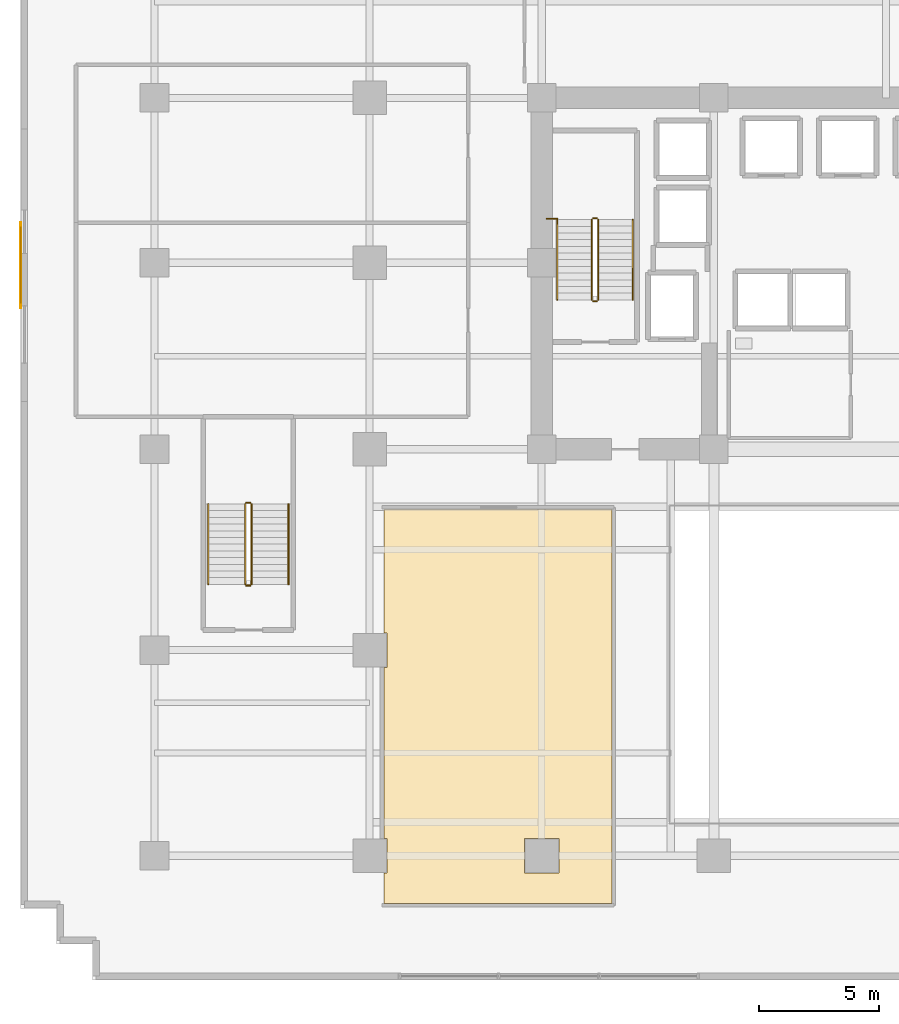
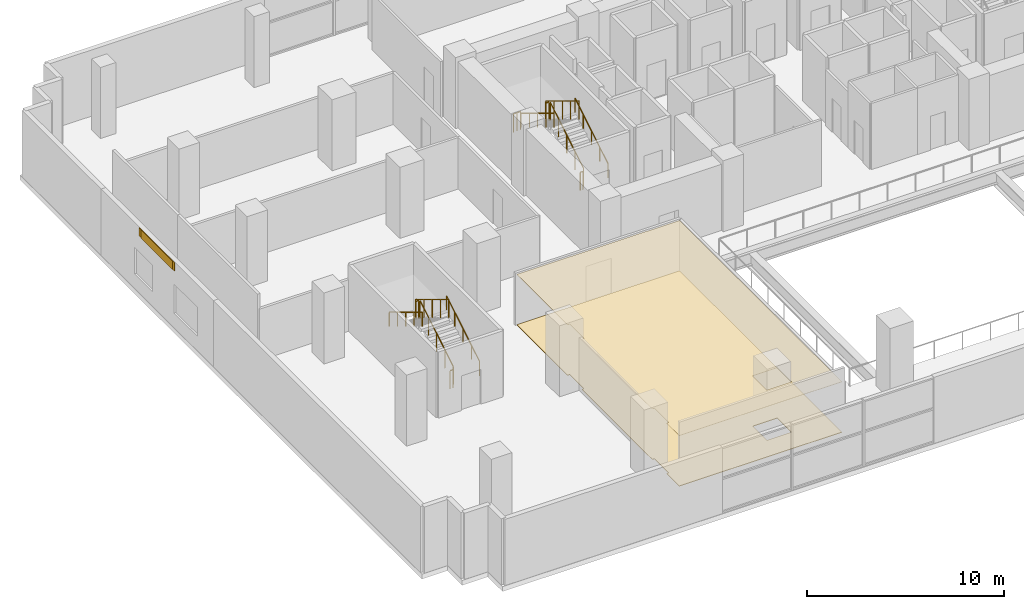
# One storey, part 18 of 21: 13 railings, 3 coverings, 1 shading device.
"""IFC4 building model written with IfcOpenShell, lengths in metres."""

from ifc_helpers import new_model, si_unit, direction, frame, origin, origin_2d, place, context, subcontext, project, spatial, polyline, rectangle, outline, extrude, source, transform, mapped, material, layer, layer_set, type_object, element, save


model = new_model("IFC4")

# Units and contexts
model_context = context("Model", 3, precision=1e-05, world=origin(), true_north=direction((0.0, 1.0)))
body_context = subcontext(model_context, "Body", "Model", "MODEL_VIEW")
ifc_project = project(units=[si_unit("LENGTHUNIT", "METRE"), si_unit("AREAUNIT", "SQUARE_METRE"), si_unit("VOLUMEUNIT", "CUBIC_METRE"), si_unit("PLANEANGLEUNIT", "RADIAN"), si_unit("MASSUNIT", "GRAM", prefix="KILO")], contexts=[model_context])

# Site, building, storey
site_placement = place(None, origin())
site = spatial("IfcSite", under=ifc_project, at=site_placement, CompositionType="ELEMENT")
building_placement = place(site_placement, origin())
building = spatial("IfcBuilding", under=site, at=building_placement, Name="Zarnakvel Exchange Tower", CompositionType="ELEMENT")
storey_placement = place(building_placement, frame((0.0, 0.0, 18.199951171875)))
storey = spatial("IfcBuildingStorey", under=building, at=storey_placement, Name="L04", CompositionType="ELEMENT", Elevation=18.199951171875)

# Coverings
ifc_material_1 = material(Name="Perforated Bronze Acoustic Metal Ceiling", Category="aluminium")
ifc_layer_1 = layer(ifc_material_1, 0.02001953125)
ifc_layer_set_1 = layer_set([ifc_layer_1], Name="Perforated Bronze Acoustic Metal Ceiling")
covering_type_1 = type_object("IfcCoveringType", Name="CLG-01", PredefinedType="CEILING", material=ifc_layer_set_1)
covering_1_placement = place(storey_placement, frame((0.0, 0.0, 3.130126953125)))
element("IfcCovering", 1, at=covering_1_placement, inside=storey, type_object=covering_type_1, Name="L04 Suspended Acoustic Ceiling (Exchange Dining Concourse)", PredefinedType="CEILING", context=body_context, shape_type="SweptSolid", body=[
    extrude(outline(polyline([(-11.4599609375, -3.7099609375), (-11.4599609375, -20.199951171875), (-21.0, -20.199951171875), (-21.0, -18.919921875), (-20.8798828125, -18.919921875), (-20.8798828125, -17.47998046875), (-21.0, -17.47998046875), (-21.0, -10.320068359375), (-20.8798828125, -10.320068359375), (-20.8798828125, -8.8798828125), (-21.0, -8.8798828125), (-21.0, -3.7099609375), (-11.4599609375, -3.7099609375)]), holes=[polyline([(-13.679931640625, -18.919921875), (-13.679931640625, -17.47998046875), (-15.1201171875, -17.47998046875), (-15.1201171875, -18.919921875), (-13.679931640625, -18.919921875)])]), origin(), (0.0, 0.0, 1.0), 0.02001953125),
])
ifc_material_2 = material(Name="Honed Limestone & Turquoise Inlay Stone", Category="masonry")
ifc_layer_2 = layer(ifc_material_2, 0.030029296875)
ifc_layer_set_2 = layer_set([ifc_layer_2], Name="Honed Limestone & Turquoise Inlay Stone")
covering_type_2 = type_object("IfcCoveringType", Name="FLR-01", PredefinedType="FLOORING", material=ifc_layer_set_2)
covering_2_placement = place(storey_placement, origin())
element("IfcCovering", 2, at=covering_2_placement, inside=storey, type_object=covering_type_2, Name="L04 Floor Finish (Exchange Dining Concourse)", PredefinedType="FLOORING", context=body_context, shape_type="SweptSolid", body=[
    extrude(outline(polyline([(-11.4599609375, -3.7099609375), (-11.4599609375, -20.199951171875), (-21.0, -20.199951171875), (-21.0, -18.919921875), (-20.8798828125, -18.919921875), (-20.8798828125, -17.47998046875), (-21.0, -17.47998046875), (-21.0, -10.320068359375), (-20.8798828125, -10.320068359375), (-20.8798828125, -8.8798828125), (-21.0, -8.8798828125), (-21.0, -3.7099609375), (-11.4599609375, -3.7099609375)]), holes=[polyline([(-13.679931640625, -18.919921875), (-13.679931640625, -17.47998046875), (-15.1201171875, -17.47998046875), (-15.1201171875, -18.919921875), (-13.679931640625, -18.919921875)])]), origin(), (0.0, 0.0, 1.0), 0.030029296875),
])

# Railings
ifc_material_3 = material(Name="Brushed Stainless Steel", Category="steel")
railing_type_1 = type_object("IfcRailingType", Name="HR-01", PredefinedType="HANDRAIL", material=ifc_material_3)
railing_1_placement = place(storey_placement, frame((-10.590087890625, 5.050048828125, 0.169189453125)))
element("IfcRailing", 3, at=railing_1_placement, inside=storey, type_object=railing_type_1, Name="L04 ST-01 stair handrail 1", PredefinedType="HANDRAIL", context=body_context, shape_type="SweptSolid", body=[
    extrude(rectangle(XDim=0.048095703125, YDim=0.048095703125, at=origin_2d()), frame((0.0, 0.0, 0.8759765625), z_axis=(0.0, 0.855820338506, 0.51727318527), x_axis=(-1.0, 0.0, 0.0)), (0.0, 0.0, 1.0), 3.92578125),
    extrude(rectangle(XDim=0.0419921875, YDim=0.0419921875, at=origin_2d()), origin(), (0.0, 0.0, 1.0), 0.851806640625),
    extrude(rectangle(XDim=0.0419921875, YDim=0.0419921875, at=origin_2d()), frame((0.0, 0.83984375, 0.5078125)), (0.0, 0.0, 1.0), 0.851806640625),
    extrude(rectangle(XDim=0.0419921875, YDim=0.0419921875, at=origin_2d()), frame((0.0, 1.679931640625, 1.015380859375)), (0.0, 0.0, 1.0), 0.851806640625),
    extrude(rectangle(XDim=0.0419921875, YDim=0.0419921875, at=origin_2d()), frame((0.0, 2.52001953125, 1.52294921875)), (0.0, 0.0, 1.0), 0.851806640625),
    extrude(rectangle(XDim=0.0419921875, YDim=0.0419921875, at=origin_2d()), frame((0.0, 3.35986328125, 2.03076171875)), (0.0, 0.0, 1.0), 0.851806640625),
])
railing_2_placement = place(storey_placement, frame((-13.75, 8.409912109375, 2.369384765625)))
element("IfcRailing", 4, at=railing_2_placement, inside=storey, type_object=railing_type_1, Name="L04 ST-01 stair handrail 2", PredefinedType="HANDRAIL", context=body_context, shape_type="SweptSolid", body=[
    extrude(rectangle(XDim=0.048095703125, YDim=0.048095703125, at=origin_2d()), frame((0.0, 0.0, 0.8759765625), z_axis=(0.0, -0.855820338506, 0.51727318527), x_axis=(1.0, 0.0, 0.0)), (0.0, 0.0, 1.0), 3.92578125),
    extrude(rectangle(XDim=0.0419921875, YDim=0.0419921875, at=origin_2d()), origin(), (0.0, 0.0, 1.0), 0.851806640625),
    extrude(rectangle(XDim=0.0419921875, YDim=0.0419921875, at=origin_2d()), frame((0.0, -0.83984375, 0.5078125)), (0.0, 0.0, 1.0), 0.851806640625),
    extrude(rectangle(XDim=0.0419921875, YDim=0.0419921875, at=origin_2d()), frame((0.0, -1.679931640625, 1.015380859375)), (0.0, 0.0, 1.0), 0.851806640625),
    extrude(rectangle(XDim=0.0419921875, YDim=0.0419921875, at=origin_2d()), frame((0.0, -2.52001953125, 1.52294921875)), (0.0, 0.0, 1.0), 0.851806640625),
    extrude(rectangle(XDim=0.0419921875, YDim=0.0419921875, at=origin_2d()), frame((0.0, -3.35986328125, 2.03076171875)), (0.0, 0.0, 1.0), 0.851806640625),
])
railing_3_placement = place(storey_placement, frame((-24.989990234375, -6.85009765625, 0.169189453125)))
element("IfcRailing", 5, at=railing_3_placement, inside=storey, type_object=railing_type_1, Name="L04 ST-03 stair handrail 1", PredefinedType="HANDRAIL", context=body_context, shape_type="SweptSolid", body=[
    extrude(rectangle(XDim=0.048095703125, YDim=0.048095703125, at=origin_2d()), frame((0.0, 0.0, 0.8759765625), z_axis=(0.0, 0.855836976705, 0.517245656632), x_axis=(-1.0, 0.0, 0.0)), (0.0, 0.0, 1.0), 3.926025390625),
    extrude(rectangle(XDim=0.0419921875, YDim=0.0419921875, at=origin_2d()), origin(), (0.0, 0.0, 1.0), 0.851806640625),
    extrude(rectangle(XDim=0.0419921875, YDim=0.0419921875, at=origin_2d()), frame((0.0, 0.840087890625, 0.5078125)), (0.0, 0.0, 1.0), 0.851806640625),
    extrude(rectangle(XDim=0.0419921875, YDim=0.0419921875, at=origin_2d()), frame((0.0, 1.68017578125, 1.015380859375)), (0.0, 0.0, 1.0), 0.851806640625),
    extrude(rectangle(XDim=0.0419921875, YDim=0.0419921875, at=origin_2d()), frame((0.0, 2.52001953125, 1.52294921875)), (0.0, 0.0, 1.0), 0.851806640625),
    extrude(rectangle(XDim=0.0419921875, YDim=0.0419921875, at=origin_2d()), frame((0.0, 3.360107421875, 2.03076171875)), (0.0, 0.0, 1.0), 0.851806640625),
])
railing_4_placement = place(storey_placement, frame((-28.35009765625, -3.489990234375, 2.369384765625)))
element("IfcRailing", 6, at=railing_4_placement, inside=storey, type_object=railing_type_1, Name="L04 ST-03 stair handrail 2", PredefinedType="HANDRAIL", context=body_context, shape_type="SweptSolid", body=[
    extrude(rectangle(XDim=0.048095703125, YDim=0.048095703125, at=origin_2d()), frame((0.0, 0.0, 0.8759765625), z_axis=(0.0, -0.855836976705, 0.517245656632), x_axis=(1.0, 0.0, 0.0)), (0.0, 0.0, 1.0), 3.926025390625),
    extrude(rectangle(XDim=0.0419921875, YDim=0.0419921875, at=origin_2d()), origin(), (0.0, 0.0, 1.0), 0.851806640625),
    extrude(rectangle(XDim=0.0419921875, YDim=0.0419921875, at=origin_2d()), frame((0.0, -0.840087890625, 0.5078125)), (0.0, 0.0, 1.0), 0.851806640625),
    extrude(rectangle(XDim=0.0419921875, YDim=0.0419921875, at=origin_2d()), frame((0.0, -1.68017578125, 1.015380859375)), (0.0, 0.0, 1.0), 0.851806640625),
    extrude(rectangle(XDim=0.0419921875, YDim=0.0419921875, at=origin_2d()), frame((0.0, -2.52001953125, 1.52294921875)), (0.0, 0.0, 1.0), 0.851806640625),
    extrude(rectangle(XDim=0.0419921875, YDim=0.0419921875, at=origin_2d()), frame((0.0, -3.360107421875, 2.03076171875)), (0.0, 0.0, 1.0), 0.851806640625),
])
ifc_material_4 = material(Name="Architectural Bronze Anodised Aluminium", Category="aluminium")
railing_type_2 = type_object("IfcRailingType", Name="SG-01", PredefinedType="GUARDRAIL", material=ifc_material_4)
railing_5_placement = place(storey_placement, frame((-12.0400390625, 5.050048828125, 0.169189453125)))
element("IfcRailing", 7, at=railing_5_placement, inside=storey, type_object=railing_type_2, Name="L04 ST-01 stair guard 1", PredefinedType="GUARDRAIL", context=body_context, shape_type="SweptSolid", body=[
    extrude(rectangle(XDim=0.048095703125, YDim=0.048095703125, at=origin_2d()), frame((0.0, 0.0, 1.1259765625), z_axis=(0.0, 0.855820338506, 0.51727318527), x_axis=(-1.0, 0.0, 0.0)), (0.0, 0.0, 1.0), 3.92578125),
    extrude(rectangle(XDim=0.0419921875, YDim=0.0419921875, at=origin_2d()), origin(), (0.0, 0.0, 1.0), 1.101806640625),
    extrude(rectangle(XDim=0.0419921875, YDim=0.0419921875, at=origin_2d()), frame((0.0, 0.83984375, 0.5078125)), (0.0, 0.0, 1.0), 1.101806640625),
    extrude(rectangle(XDim=0.0419921875, YDim=0.0419921875, at=origin_2d()), frame((0.0, 1.679931640625, 1.015380859375)), (0.0, 0.0, 1.0), 1.101806640625),
    extrude(rectangle(XDim=0.0419921875, YDim=0.0419921875, at=origin_2d()), frame((0.0, 2.52001953125, 1.52294921875)), (0.0, 0.0, 1.0), 1.101806640625),
    extrude(rectangle(XDim=0.0419921875, YDim=0.0419921875, at=origin_2d()), frame((0.0, 3.35986328125, 2.03076171875)), (0.0, 0.0, 1.0), 1.101806640625),
])
railing_6_placement = place(storey_placement, frame((-12.090087890625, 8.4599609375, 2.199951171875)))
element("IfcRailing", 8, at=railing_6_placement, inside=storey, type_object=railing_type_2, Name="L04 ST-01 stair guard 2", PredefinedType="GUARDRAIL", context=body_context, shape_type="SweptSolid", body=[
    extrude(rectangle(XDim=0.048095703125, YDim=0.048095703125, at=origin_2d()), frame((0.0, 0.0, 1.1259765625), z_axis=(-1.0, 0.0, 0.0), x_axis=(0.0, -1.0, 0.0)), (0.0, 0.0, 1.0), 0.159912109375),
    extrude(rectangle(XDim=0.0419921875, YDim=0.0419921875, at=origin_2d()), origin(), (0.0, 0.0, 1.0), 1.101806640625),
    extrude(rectangle(XDim=0.0419921875, YDim=0.0419921875, at=origin_2d()), frame((-0.159912109375, 0.0, 0.0)), (0.0, 0.0, 1.0), 1.101806640625),
])
railing_7_placement = place(storey_placement, frame((-12.300048828125, 8.409912109375, 2.369384765625)))
element("IfcRailing", 9, at=railing_7_placement, inside=storey, type_object=railing_type_2, Name="L04 ST-01 stair guard 3", PredefinedType="GUARDRAIL", context=body_context, shape_type="SweptSolid", body=[
    extrude(rectangle(XDim=0.048095703125, YDim=0.048095703125, at=origin_2d()), frame((0.0, 0.0, 1.1259765625), z_axis=(0.0, -0.855820338506, 0.51727318527), x_axis=(1.0, 0.0, 0.0)), (0.0, 0.0, 1.0), 3.92578125),
    extrude(rectangle(XDim=0.0419921875, YDim=0.0419921875, at=origin_2d()), origin(), (0.0, 0.0, 1.0), 1.101806640625),
    extrude(rectangle(XDim=0.0419921875, YDim=0.0419921875, at=origin_2d()), frame((0.0, -0.83984375, 0.5078125)), (0.0, 0.0, 1.0), 1.101806640625),
    extrude(rectangle(XDim=0.0419921875, YDim=0.0419921875, at=origin_2d()), frame((0.0, -1.679931640625, 1.015380859375)), (0.0, 0.0, 1.0), 1.101806640625),
    extrude(rectangle(XDim=0.0419921875, YDim=0.0419921875, at=origin_2d()), frame((0.0, -2.52001953125, 1.52294921875)), (0.0, 0.0, 1.0), 1.101806640625),
    extrude(rectangle(XDim=0.0419921875, YDim=0.0419921875, at=origin_2d()), frame((0.0, -3.35986328125, 2.03076171875)), (0.0, 0.0, 1.0), 1.101806640625),
])
railing_8_placement = place(storey_placement, frame((-12.090087890625, 5.0, 0.0)))
element("IfcRailing", 10, at=railing_8_placement, inside=storey, type_object=railing_type_2, Name="L04 ST-01 stair guard 4", PredefinedType="GUARDRAIL", context=body_context, shape_type="SweptSolid", body=[
    extrude(rectangle(XDim=0.048095703125, YDim=0.048095703125, at=origin_2d()), frame((0.0, 0.0, 1.1259765625), z_axis=(-1.0, 0.0, 0.0), x_axis=(0.0, -1.0, 0.0)), (0.0, 0.0, 1.0), 0.159912109375),
    extrude(rectangle(XDim=0.0419921875, YDim=0.0419921875, at=origin_2d()), origin(), (0.0, 0.0, 1.0), 1.101806640625),
    extrude(rectangle(XDim=0.0419921875, YDim=0.0419921875, at=origin_2d()), frame((-0.159912109375, 0.0, 0.0)), (0.0, 0.0, 1.0), 1.101806640625),
])
railing_9_placement = place(storey_placement, frame((-14.179931640625, 8.449951171875, 2.199951171875)))
element("IfcRailing", 11, at=railing_9_placement, inside=storey, type_object=railing_type_2, Name="L04 ST-01 Landing Slot Guardrail", PredefinedType="GUARDRAIL", context=body_context, shape_type="SweptSolid", body=[
    extrude(rectangle(XDim=0.048095703125, YDim=0.048095703125, at=origin_2d()), frame((0.0, 0.0, 1.1259765625), z_axis=(1.0, 0.0, 0.0), x_axis=(0.0, 1.0, 0.0)), (0.0, 0.0, 1.0), 0.429931640625),
    extrude(rectangle(XDim=0.0419921875, YDim=0.0419921875, at=origin_2d()), origin(), (0.0, 0.0, 1.0), 1.101806640625),
    extrude(rectangle(XDim=0.0419921875, YDim=0.0419921875, at=origin_2d()), frame((0.21484375, 0.0, 0.0)), (0.0, 0.0, 1.0), 1.101806640625),
    extrude(rectangle(XDim=0.0419921875, YDim=0.0419921875, at=origin_2d()), frame((0.429931640625, 0.0, 0.0)), (0.0, 0.0, 1.0), 1.101806640625),
])
railing_10_placement = place(storey_placement, frame((-26.5400390625, -6.85009765625, 0.169189453125)))
element("IfcRailing", 12, at=railing_10_placement, inside=storey, type_object=railing_type_2, Name="L04 ST-03 stair guard 1", PredefinedType="GUARDRAIL", context=body_context, shape_type="SweptSolid", body=[
    extrude(rectangle(XDim=0.048095703125, YDim=0.048095703125, at=origin_2d()), frame((0.0, 0.0, 1.1259765625), z_axis=(0.0, 0.855836976705, 0.517245656632), x_axis=(-1.0, 0.0, 0.0)), (0.0, 0.0, 1.0), 3.926025390625),
    extrude(rectangle(XDim=0.0419921875, YDim=0.0419921875, at=origin_2d()), origin(), (0.0, 0.0, 1.0), 1.101806640625),
    extrude(rectangle(XDim=0.0419921875, YDim=0.0419921875, at=origin_2d()), frame((0.0, 0.840087890625, 0.5078125)), (0.0, 0.0, 1.0), 1.101806640625),
    extrude(rectangle(XDim=0.0419921875, YDim=0.0419921875, at=origin_2d()), frame((0.0, 1.68017578125, 1.015380859375)), (0.0, 0.0, 1.0), 1.101806640625),
    extrude(rectangle(XDim=0.0419921875, YDim=0.0419921875, at=origin_2d()), frame((0.0, 2.52001953125, 1.52294921875)), (0.0, 0.0, 1.0), 1.101806640625),
    extrude(rectangle(XDim=0.0419921875, YDim=0.0419921875, at=origin_2d()), frame((0.0, 3.360107421875, 2.03076171875)), (0.0, 0.0, 1.0), 1.101806640625),
])
railing_11_placement = place(storey_placement, frame((-26.590087890625, -3.43994140625, 2.199951171875)))
element("IfcRailing", 13, at=railing_11_placement, inside=storey, type_object=railing_type_2, Name="L04 ST-03 stair guard 2", PredefinedType="GUARDRAIL", context=body_context, shape_type="SweptSolid", body=[
    extrude(rectangle(XDim=0.048095703125, YDim=0.048095703125, at=origin_2d()), frame((0.0, 0.0, 1.1259765625), z_axis=(-1.0, 0.0, 0.0), x_axis=(0.0, -1.0, 0.0)), (0.0, 0.0, 1.0), 0.159912109375),
    extrude(rectangle(XDim=0.0419921875, YDim=0.0419921875, at=origin_2d()), origin(), (0.0, 0.0, 1.0), 1.101806640625),
    extrude(rectangle(XDim=0.0419921875, YDim=0.0419921875, at=origin_2d()), frame((-0.159912109375, 0.0, 0.0)), (0.0, 0.0, 1.0), 1.101806640625),
])
railing_12_placement = place(storey_placement, frame((-26.800048828125, -3.489990234375, 2.369384765625)))
element("IfcRailing", 14, at=railing_12_placement, inside=storey, type_object=railing_type_2, Name="L04 ST-03 stair guard 3", PredefinedType="GUARDRAIL", context=body_context, shape_type="SweptSolid", body=[
    extrude(rectangle(XDim=0.048095703125, YDim=0.048095703125, at=origin_2d()), frame((0.0, 0.0, 1.1259765625), z_axis=(0.0, -0.855836976705, 0.517245656632), x_axis=(1.0, 0.0, 0.0)), (0.0, 0.0, 1.0), 3.926025390625),
    extrude(rectangle(XDim=0.0419921875, YDim=0.0419921875, at=origin_2d()), origin(), (0.0, 0.0, 1.0), 1.101806640625),
    extrude(rectangle(XDim=0.0419921875, YDim=0.0419921875, at=origin_2d()), frame((0.0, -0.840087890625, 0.5078125)), (0.0, 0.0, 1.0), 1.101806640625),
    extrude(rectangle(XDim=0.0419921875, YDim=0.0419921875, at=origin_2d()), frame((0.0, -1.68017578125, 1.015380859375)), (0.0, 0.0, 1.0), 1.101806640625),
    extrude(rectangle(XDim=0.0419921875, YDim=0.0419921875, at=origin_2d()), frame((0.0, -2.52001953125, 1.52294921875)), (0.0, 0.0, 1.0), 1.101806640625),
    extrude(rectangle(XDim=0.0419921875, YDim=0.0419921875, at=origin_2d()), frame((0.0, -3.360107421875, 2.03076171875)), (0.0, 0.0, 1.0), 1.101806640625),
])
railing_13_placement = place(storey_placement, frame((-26.590087890625, -6.89990234375, 0.0)))
element("IfcRailing", 15, at=railing_13_placement, inside=storey, type_object=railing_type_2, Name="L04 ST-03 stair guard 4", PredefinedType="GUARDRAIL", context=body_context, shape_type="SweptSolid", body=[
    extrude(rectangle(XDim=0.048095703125, YDim=0.048095703125, at=origin_2d()), frame((0.0, 0.0, 1.1259765625), z_axis=(-1.0, 0.0, 0.0), x_axis=(0.0, -1.0, 0.0)), (0.0, 0.0, 1.0), 0.159912109375),
    extrude(rectangle(XDim=0.0419921875, YDim=0.0419921875, at=origin_2d()), origin(), (0.0, 0.0, 1.0), 1.101806640625),
    extrude(rectangle(XDim=0.0419921875, YDim=0.0419921875, at=origin_2d()), frame((-0.159912109375, 0.0, 0.0)), (0.0, 0.0, 1.0), 1.101806640625),
])

# Covering
ifc_material_5 = material(Name="Glazed Turquoise Ceramic Architectural Tile", Category="ceramic")
ifc_layer_3 = layer(ifc_material_5, 0.028076171875)
ifc_layer_set_3 = layer_set([ifc_layer_3], Name="Glazed Turquoise Ceramic Architectural Tile")
covering_type_3 = type_object("IfcCoveringType", Name="CL-01", PredefinedType="CLADDING", material=ifc_layer_set_3)
shared_shape_1 = source(origin(), body_context, "Body", "SweptSolid", [
    extrude(rectangle(XDim=3.60009765625, YDim=0.028076171875, at=origin_2d()), origin(), (0.0, 0.0, 1.0), 0.52001953125),
])
covering_3_placement = place(storey_placement, frame((-36.19189453125, 6.5, 3.56005859375), z_axis=(0.0, 0.0, 1.0), x_axis=(0.0, 1.0, 0.0)))
element("IfcCovering", 16, at=covering_3_placement, inside=storey, type_object=covering_type_3, Name="L04 Ceramic Spandrel Tilework CL-01", PredefinedType="CLADDING", context=body_context, shape_type="MappedRepresentation", body=[
    mapped(shared_shape_1, transform((0.0, 0.0, 0.0), x_axis=(1.0, 0.0, 0.0), y_axis=(0.0, 1.0, 0.0), z_axis=(0.0, 0.0, 1.0), scale=1.0)),
])

# Shading device
ifc_material_6 = material(Name="Perforated Architectural Bronze Screen", Category="aluminium")
ifc_layer_4 = layer(ifc_material_6, 0.044921875)
ifc_layer_set_4 = layer_set([ifc_layer_4], Name="Perforated Architectural Bronze Screen")
shading_device_type = type_object("IfcShadingDeviceType", Name="SS-01", PredefinedType="JALOUSIE", material=ifc_layer_set_4)
shared_shape_2 = source(origin(), body_context, "Body", "SweptSolid", [
    extrude(rectangle(XDim=3.199951171875, YDim=0.044921875, at=origin_2d()), origin(), (0.0, 0.0, 1.0), 0.52001953125),
])
shading_device_placement = place(storey_placement, frame((-36.200439453125, 6.5, 3.56005859375), z_axis=(0.0, 0.0, 1.0), x_axis=(0.0, 1.0, 0.0)))
element("IfcShadingDevice", 17, at=shading_device_placement, inside=storey, type_object=shading_device_type, Name="L04 Bronze Solar Shading Screen SS-01", PredefinedType="JALOUSIE", context=body_context, shape_type="MappedRepresentation", body=[
    mapped(shared_shape_2, transform((0.0, 0.0, 0.0), x_axis=(1.0, 0.0, 0.0), y_axis=(0.0, 1.0, 0.0), z_axis=(0.0, 0.0, 1.0), scale=1.0)),
])

save(model, "model.ifc")
